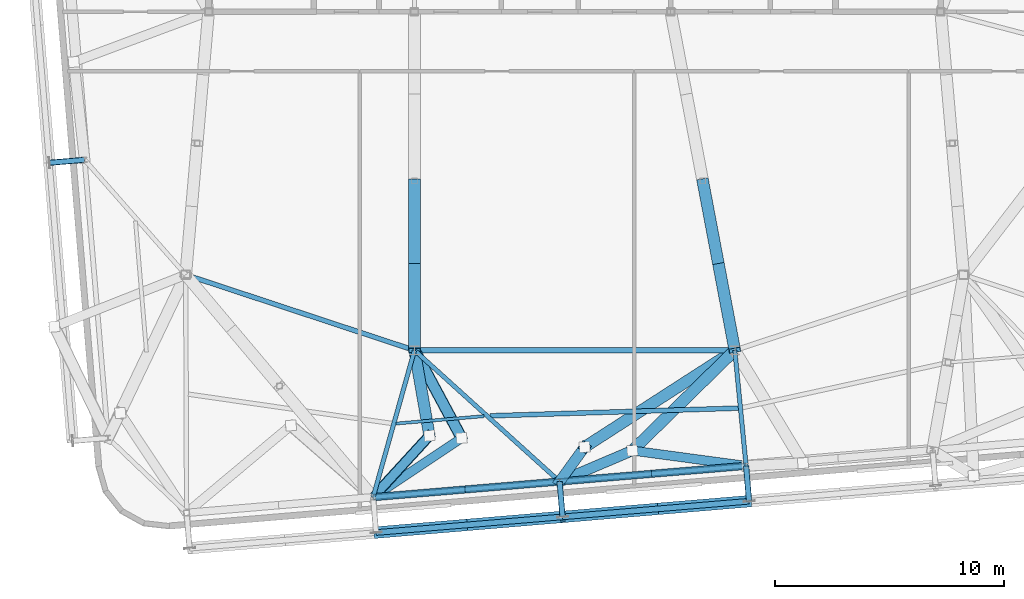
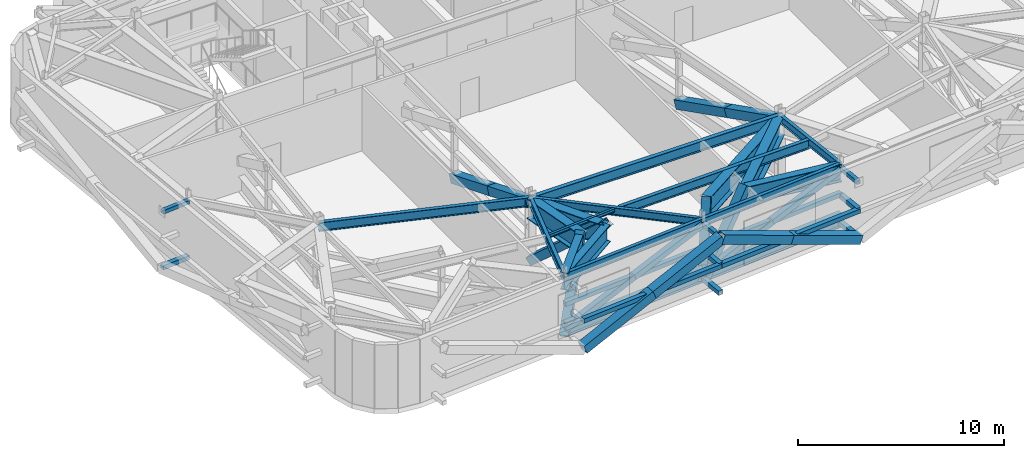
# One storey, part 8 of 26: 30 members, 16 beams.
"""IFC4 building model written with IfcOpenShell, lengths in metres."""

import ifcopenshell
import ifcopenshell.guid

model = None  # the IFC model being written
_history = None  # IfcOwnerHistory: only IFC2X3 demands one
_inside = {}  # id of a spatial element -> (the spatial element, [elements in it])
_under = {}  # id of a project, library or spatial element -> (it, [spatial elements below it])
_declared = {}  # id of a project -> (the project, [libraries it declares])
_typed = {}  # id of a type object -> (the type object, [elements of that type])
_made_of = {}  # id of a material, layer set ... -> (it, [elements and type objects made of it])


def new_model(schema):
    """Start an empty IFC model of exactly this schema.

    Asked for "IFC4X3", IfcOpenShell would pick the latest addendum, in which some entities
    have other attributes; the version numbers below select the first issue.
    IFC2X3 requires an IfcOwnerHistory on every rooted entity: one is made here for all.
    """
    global model, _history
    if schema == "IFC4X3":
        model = ifcopenshell.file(schema_version=(4, 3, 0, 0))
    else:
        model = ifcopenshell.file(schema=schema)
    _inside.clear()
    _under.clear()
    _declared.clear()
    _typed.clear()
    _made_of.clear()
    _history = None
    if model.schema == "IFC2X3":
        org = make("IfcOrganization", Name="unknown")
        user = make(
            "IfcPersonAndOrganization",
            ThePerson=make("IfcPerson", FamilyName="unknown"),
            TheOrganization=org,
        )
        app = make(
            "IfcApplication",
            ApplicationDeveloper=org,
            Version="unknown",
            ApplicationFullName="unknown",
            ApplicationIdentifier="unknown",
        )
        _history = make(
            "IfcOwnerHistory",
            OwningUser=user,
            OwningApplication=app,
            ChangeAction="ADDED",
            CreationDate=0,
        )
    return model


def make(cls, **values):
    """One entity of the class cls with the attributes given. An attribute that is None is left unset."""
    return model.create_entity(
        cls, **{name: value for name, value in values.items() if value is not None}
    )


def rooted(cls, **values):
    """An entity with a GlobalId (a new one), such as an element, a storey or a relation."""
    return make(cls, GlobalId=ifcopenshell.guid.new(), OwnerHistory=_history, **values)


def si_unit(unit_type, name, prefix=None):
    """IfcSIUnit, for example si_unit("LENGTHUNIT", "METRE", prefix="MILLI")."""
    return make("IfcSIUnit", UnitType=unit_type, Prefix=prefix, Name=name)


def assignment(units):
    """IfcUnitAssignment: the units of a project."""
    return None if units is None else make("IfcUnitAssignment", Units=units)


def point(xyz):
    """IfcCartesianPoint."""
    return None if xyz is None else make("IfcCartesianPoint", Coordinates=xyz)


def direction(xyz):
    """IfcDirection."""
    return None if xyz is None else make("IfcDirection", DirectionRatios=xyz)


def frame(location, z_axis=None, x_axis=None):
    """IfcAxis2Placement3D, a coordinate frame: its origin and axes. An axis left out is left unset."""
    return make(
        "IfcAxis2Placement3D",
        Location=point(location),
        Axis=direction(z_axis),
        RefDirection=direction(x_axis),
    )


def frame_2d(location, x_axis=None):
    """IfcAxis2Placement2D, a coordinate frame in the plane: its origin and x axis."""
    return make(
        "IfcAxis2Placement2D", Location=point(location), RefDirection=direction(x_axis)
    )


def origin():
    """The frame at (0, 0, 0) with its axes left unset."""
    return frame((0.0, 0.0, 0.0))


def origin_2d():
    """The frame at (0, 0) in the plane with its x axis left unset."""
    return frame_2d((0.0, 0.0))


def place(relative_to, where):
    """IfcLocalPlacement: puts the frame where relative to a parent placement (None: the world)."""
    return make(
        "IfcLocalPlacement", PlacementRelTo=relative_to, RelativePlacement=where
    )


def context(
    kind, dimensions, precision=None, world=None, true_north=None, identifier=None
):
    """IfcGeometricRepresentationContext, for example the 3D "Model" context."""
    return make(
        "IfcGeometricRepresentationContext",
        ContextIdentifier=identifier,
        ContextType=kind,
        CoordinateSpaceDimension=dimensions,
        Precision=precision,
        WorldCoordinateSystem=world,
        TrueNorth=true_north,
    )


def subcontext(parent, identifier, kind, view, scale=None):
    """IfcGeometricRepresentationSubContext, for example "Body" below "Model"."""
    return make(
        "IfcGeometricRepresentationSubContext",
        ContextIdentifier=identifier,
        ContextType=kind,
        ParentContext=parent,
        TargetScale=scale,
        TargetView=view,
    )


def project(units=None, contexts=None):
    """IfcProject with its units and contexts."""
    return rooted(
        "IfcProject",
        Name="project",
        RepresentationContexts=contexts,
        UnitsInContext=assignment(units),
    )


def spatial(cls, under=None, at=None, **own):
    """A site, building, storey or space (cls), placed at a placement, below another one or the project."""
    s = rooted(cls, ObjectPlacement=at, **own)
    if under is not None:
        _under.setdefault(under.id(), (under, []))[1].append(s)
    return s


def profile(cls, at=None, kind="AREA", **sizes):
    """A parametric profile (cls). Its sizes go by their IFC names, for example OverallWidth=200.0."""
    return make(cls, ProfileType=kind, Position=at, **sizes)


def hollow_rectangle(**sizes):
    """IfcRectangleHollowProfileDef."""
    return profile("IfcRectangleHollowProfileDef", **sizes)


def i_section(**sizes):
    """IfcIShapeProfileDef."""
    return profile("IfcIShapeProfileDef", **sizes)


def extrude(swept, where, along, depth):
    """IfcExtrudedAreaSolid: the profile swept, set in the frame where, extruded along a direction by depth."""
    return make(
        "IfcExtrudedAreaSolid",
        SweptArea=swept,
        Position=where,
        ExtrudedDirection=direction(along),
        Depth=depth,
    )


def shape(context_of_items, identifier, shape_type, items):
    """IfcShapeRepresentation: the items that make up one representation, for example the "Body"."""
    return make(
        "IfcShapeRepresentation",
        ContextOfItems=context_of_items,
        RepresentationIdentifier=identifier,
        RepresentationType=shape_type,
        Items=items,
    )


def source(mapping_origin, context_of_items, identifier, shape_type, items):
    """IfcRepresentationMap: a shape defined once, which mapped items show again and again."""
    return make(
        "IfcRepresentationMap",
        MappingOrigin=mapping_origin,
        MappedRepresentation=shape(context_of_items, identifier, shape_type, items),
    )


def transform(
    local_origin,
    x_axis=None,
    y_axis=None,
    z_axis=None,
    scale=None,
    scale2=None,
    scale3=None,
    uniform=True,
):
    """IfcCartesianTransformationOperator3D, or its non-uniform kind. x_axis, y_axis, z_axis: its Axis1, 2, 3."""
    if uniform:
        return make(
            "IfcCartesianTransformationOperator3D",
            Axis1=direction(x_axis),
            Axis2=direction(y_axis),
            LocalOrigin=point(local_origin),
            Scale=scale,
            Axis3=direction(z_axis),
        )
    return make(
        "IfcCartesianTransformationOperator3DnonUniform",
        Axis1=direction(x_axis),
        Axis2=direction(y_axis),
        LocalOrigin=point(local_origin),
        Scale=scale,
        Axis3=direction(z_axis),
        Scale2=scale2,
        Scale3=scale3,
    )


def mapped(mapping_source, mapping_target):
    """IfcMappedItem: shows the shape of a source again, moved by a transform."""
    return make(
        "IfcMappedItem", MappingSource=mapping_source, MappingTarget=mapping_target
    )


def material(Name=None, Category=None):
    """IfcMaterial."""
    return make("IfcMaterial", Name=Name, Category=Category)


def material_profile(
    of_material, cross_section, Name=None, Category=None, Priority=None
):
    """IfcMaterialProfile: a cross section and its material."""
    return make(
        "IfcMaterialProfile",
        Name=Name,
        Material=of_material,
        Profile=cross_section,
        Priority=Priority,
        Category=Category,
    )


def profile_set(profiles, Name=None, composite=None):
    """IfcMaterialProfileSet."""
    return make(
        "IfcMaterialProfileSet",
        Name=Name,
        MaterialProfiles=profiles,
        CompositeProfile=composite,
    )


def made_of(thing, what):
    """Note that an element or type object is made of a material, layer set ...; save() writes the relation."""
    if what is not None:
        _made_of.setdefault(what.id(), (what, []))[1].append(thing)
    return thing


def type_object(cls, material=None, **own):
    """A type object (cls), such as IfcWallType, which elements share."""
    return made_of(rooted(cls, **own), material)


def element(
    cls,
    number,
    at=None,
    inside=None,
    cuts=None,
    type_object=None,
    material=None,
    context=None,
    identifier="Body",
    shape_type=None,
    held_by="IfcProductDefinitionShape",
    body=None,
    shapes=None,
    **own,
):
    """One element of the class cls, such as IfcWall. Its Tag is "e" and its number.

    at: its placement. inside: the storey or other place that contains it. cuts: it is an
    opening in that element (IfcRelVoidsElement). A single representation is given by context,
    identifier, shape_type and body (its items); several are given by shapes. held_by: the class
    of the entity that holds the representations. save() writes the other relations.
    """
    e = rooted(cls, Tag="e%d" % number, ObjectPlacement=at, **own)
    if body is not None:
        shapes = [shape(context, identifier, shape_type, body)]
    if shapes is not None:
        e.Representation = make(held_by, Representations=shapes)
    if inside is not None:
        _inside.setdefault(inside.id(), (inside, []))[1].append(e)
    if cuts is not None:
        rooted(
            "IfcRelVoidsElement", RelatingBuildingElement=cuts, RelatedOpeningElement=e
        )
    if type_object is not None:
        _typed.setdefault(type_object.id(), (type_object, []))[1].append(e)
    return made_of(e, material)


def aggregate(whole, parts):
    """IfcRelAggregates: a whole, such as a stair, and the parts it consists of."""
    return rooted("IfcRelAggregates", RelatingObject=whole, RelatedObjects=parts)


def save(model, path):
    """Write the relations noted so far, then the file.

    IfcRelAggregates (storeys below a building ...), IfcRelContainedInSpatialStructure (elements
    in a storey), IfcRelDefinesByType, IfcRelAssociatesMaterial and IfcRelDeclares: one each for
    every whole, place, type object, material and project.
    """
    for whole, parts in _under.values():
        aggregate(whole, parts)
    for where, things in _inside.values():
        rooted(
            "IfcRelContainedInSpatialStructure",
            RelatedElements=things,
            RelatingStructure=where,
        )
    for kind, things in _typed.values():
        rooted("IfcRelDefinesByType", RelatedObjects=things, RelatingType=kind)
    for what, things in _made_of.values():
        rooted("IfcRelAssociatesMaterial", RelatedObjects=things, RelatingMaterial=what)
    for by, libraries in _declared.values():
        rooted("IfcRelDeclares", RelatingContext=by, RelatedDefinitions=libraries)
    model.write(path)


model = new_model("IFC4")

# Units and contexts
model_context = context("Model", 3, precision=1e-05, world=origin(), true_north=direction((0.0, 1.0)))
body_context = subcontext(model_context, "Body", "Model", "MODEL_VIEW")
ifc_project = project(units=[si_unit("LENGTHUNIT", "METRE"), si_unit("AREAUNIT", "SQUARE_METRE"), si_unit("VOLUMEUNIT", "CUBIC_METRE"), si_unit("PLANEANGLEUNIT", "RADIAN"), si_unit("MASSUNIT", "GRAM", prefix="KILO")], contexts=[model_context])

# Site, building, storey
site_placement = place(None, origin())
site = spatial("IfcSite", under=ifc_project, at=site_placement, CompositionType="ELEMENT")
building_placement = place(site_placement, origin())
building = spatial("IfcBuilding", under=site, at=building_placement, Name="Taldren Reach Tower", CompositionType="ELEMENT")
storey_placement = place(building_placement, frame((0.0, 0.0, 207.199951171875)))
storey = spatial("IfcBuildingStorey", under=building, at=storey_placement, Name="L63", CompositionType="ELEMENT", Elevation=207.199951171875)

# Beams
ifc_material_1 = material(Name="Steel Gr 350 (350PLUS)", Category="steel")
ifc_material_profile_1 = material_profile(ifc_material_1, i_section(OverallWidth=0.208984375, OverallDepth=0.532958984375, WebThickness=0.01025390625, FlangeThickness=0.015625, at=origin_2d()), Name="530UB92.4")
ifc_profile_set_1 = profile_set([ifc_material_profile_1], Name="Steel Gr 350 (350PLUS)")
beam_type_1 = type_object("IfcBeamType", Name="BM-UB530A", PredefinedType="BEAM", material=ifc_profile_set_1)
shared_shape_1 = source(origin(), body_context, "Body", "SweptSolid", [
    extrude(i_section(OverallWidth=0.208984375, OverallDepth=0.532958984375, WebThickness=0.01025390625, FlangeThickness=0.015625, at=origin_2d()), origin(), (0.0, 0.0, 1.0), 10.530517578125),
])
beam_1_placement = place(storey_placement, frame((18.0, 12.5, 3.513427734375), z_axis=(0.949627269203, -0.313381635689, 0.0), x_axis=(0.313381635689, 0.949627269203, 0.0)))
element("IfcBeam", 1, at=beam_1_placement, inside=storey, type_object=beam_type_1, Name="Core-spine girder L63-SP10", PredefinedType="BEAM", context=body_context, shape_type="MappedRepresentation", body=[
    mapped(shared_shape_1, transform((0.0, 0.0, 0.0), scale=1.0)),
])
ifc_material_profile_2 = material_profile(ifc_material_1, i_section(OverallWidth=0.22802734375, OverallDepth=0.60205078125, WebThickness=0.010498046875, FlangeThickness=0.014892578125, at=origin_2d()), Name="610UB101")
ifc_profile_set_2 = profile_set([ifc_material_profile_2], Name="Steel Gr 350 (350PLUS)")
beam_type_2 = type_object("IfcBeamType", Name="BM-UB610B", PredefinedType="BEAM", material=ifc_profile_set_2)
shared_shape_2 = source(origin(), body_context, "Body", "SweptSolid", [
    extrude(i_section(OverallWidth=0.22802734375, OverallDepth=0.60205078125, WebThickness=0.010498046875, FlangeThickness=0.014892578125, at=origin_2d()), origin(), (0.0, 0.0, 1.0), 14.0),
])
beam_2_placement = place(storey_placement, frame((28.0, 9.199951171875, 3.47900390625), z_axis=(1.0, 0.0, 0.0), x_axis=(0.0, 1.0, 0.0)))
element("IfcBeam", 2, at=beam_2_placement, inside=storey, type_object=beam_type_2, Name="Core-spine girder L63-SP11", PredefinedType="BEAM", context=body_context, shape_type="MappedRepresentation", body=[
    mapped(shared_shape_2, transform((0.0, 0.0, 0.0), scale=1.0)),
])

# Members
ifc_material_2 = material(Name="Steel Gr 350 (C350L0)", Category="steel")
ifc_material_profile_3 = material_profile(ifc_material_2, hollow_rectangle(XDim=0.25, YDim=0.25, WallThickness=0.010009765625, at=origin_2d()), Name="250x250x10.0SHS")
ifc_profile_set_3 = profile_set([ifc_material_profile_3], Name="Steel Gr 350 (C350L0)")
member_type_1 = type_object("IfcMemberType", Name="MB-POST250", PredefinedType="POST", material=ifc_profile_set_3)
shared_shape_3 = source(origin(), body_context, "Body", "SweptSolid", [
    extrude(hollow_rectangle(XDim=0.25, YDim=0.25, WallThickness=0.010009765625, at=origin_2d()), origin(), (0.0, 0.0, 1.0), 1.5498046875),
])
for number, where, z_axis, x_axis, name in (
    (3, (34.34228515625, 3.462890625, 0.219970703125), (0.083645141657, -0.996495604746, 0.0), (0.996495604746, 0.083645141657, 0.0), "Exoskeleton base diaphragm tie strut B4-S3 L63"),
    (4, (42.49365234375, 4.1474609375, 0.219970703125), (0.083645141657, -0.996495604746, 0.0), (0.996495604746, 0.083645141657, 0.0), "Exoskeleton base diaphragm tie strut B4-S4 L63"),
    (5, (34.34228515625, 3.462890625, 1.860107421875), (0.083645141657, -0.996495604746, 0.0), (0.996495604746, 0.083645141657, 0.0), "Exoskeleton mid-tier diaphragm tie B4-S3 L63"),
    (6, (42.49365234375, 4.1474609375, 1.860107421875), (0.083645141657, -0.996495604746, 0.0), (0.996495604746, 0.083645141657, 0.0), "Exoskeleton mid-tier diaphragm tie B4-S4 L63"),
):
    element("IfcMember", number, at=place(storey_placement, frame(where, z_axis=z_axis, x_axis=x_axis)), inside=storey, type_object=member_type_1, Name=name, PredefinedType="POST", context=body_context, shape_type="MappedRepresentation", body=[
        mapped(shared_shape_3, transform((0.0, 0.0, 0.0), scale=1.0)),
    ])
ifc_material_3 = material(Name="Steel Gr 450 (C450L0)", Category="steel")
ifc_material_profile_4 = material_profile(ifc_material_3, hollow_rectangle(XDim=0.510009765625, YDim=0.510009765625, WallThickness=0.02001953125, at=origin_2d()), Name="510x510x20.0SHS")
ifc_profile_set_4 = profile_set([ifc_material_profile_4], Name="Steel Gr 450 (C450L0)")
member_type_2 = type_object("IfcMemberType", Name="MB-EXO508", PredefinedType="BRACE", material=ifc_profile_set_4)
shared_shape_4 = source(origin(), body_context, "Body", "SweptSolid", [
    extrude(hollow_rectangle(XDim=0.510009765625, YDim=0.510009765625, WallThickness=0.02001953125, at=origin_2d()), origin(), (0.0, 0.0, 1.0), 3.994384765625),
])
member_1_placement = place(storey_placement, frame((28.0, 12.89990234375, 1.955078125), z_axis=(0.0, -0.926311309754, 0.376759017705), x_axis=(1.0, 0.0, 0.0)))
element("IfcMember", 7, at=member_1_placement, inside=storey, type_object=member_type_2, Name="Outrigger Transfer Truss Diagonal OT-M1B L63", PredefinedType="BRACE", context=body_context, shape_type="MappedRepresentation", body=[
    mapped(shared_shape_4, transform((0.0, 0.0, 0.0), scale=1.0)),
])
shared_shape_5 = source(origin(), body_context, "Body", "SweptSolid", [
    extrude(hollow_rectangle(XDim=0.510009765625, YDim=0.510009765625, WallThickness=0.02001953125, at=origin_2d()), origin(), (0.0, 0.0, 1.0), 3.99462890625),
])
member_2_placement = place(storey_placement, frame((28.0, 16.60009765625, 0.449951171875), z_axis=(0.0, -0.926298654902, 0.376790129815), x_axis=(1.0, 0.0, 0.0)))
element("IfcMember", 8, at=member_2_placement, inside=storey, type_object=member_type_2, Name="Outrigger Transfer Truss Diagonal OT-M1B L63", PredefinedType="BRACE", context=body_context, shape_type="MappedRepresentation", body=[
    mapped(shared_shape_5, transform((0.0, 0.0, 0.0), scale=1.0)),
])
shared_shape_6 = source(origin(), body_context, "Body", "SweptSolid", [
    extrude(hollow_rectangle(XDim=0.510009765625, YDim=0.510009765625, WallThickness=0.02001953125, at=origin_2d()), origin(), (0.0, 0.0, 1.0), 4.05517578125),
])
member_3_placement = place(storey_placement, frame((41.300048828125, 12.89990234375, 1.955078125), z_axis=(0.172607955073, -0.91240793831, 0.371104093153), x_axis=(0.982572166, 0.185881517646, 0.0)))
element("IfcMember", 9, at=member_3_placement, inside=storey, type_object=member_type_2, Name="Outrigger Transfer Truss Diagonal OT-M2B L63", PredefinedType="BRACE", context=body_context, shape_type="MappedRepresentation", body=[
    mapped(shared_shape_6, transform((0.0, 0.0, 0.0), scale=1.0)),
])
shared_shape_7 = source(origin(), body_context, "Body", "SweptSolid", [
    extrude(hollow_rectangle(XDim=0.510009765625, YDim=0.510009765625, WallThickness=0.02001953125, at=origin_2d()), origin(), (0.0, 0.0, 1.0), 4.055419921875),
])
member_4_placement = place(storey_placement, frame((40.60009765625, 16.60009765625, 0.449951171875), z_axis=(0.172594617897, -0.912397638243, 0.371135618881), x_axis=(0.982574405956, 0.185869676819, 0.0)))
element("IfcMember", 10, at=member_4_placement, inside=storey, type_object=member_type_2, Name="Outrigger Transfer Truss Diagonal OT-M2B L63", PredefinedType="BRACE", context=body_context, shape_type="MappedRepresentation", body=[
    mapped(shared_shape_7, transform((0.0, 0.0, 0.0), scale=1.0)),
])

# Beams
ifc_material_profile_5 = material_profile(ifc_material_1, i_section(OverallWidth=0.18994140625, OverallDepth=0.4541015625, WebThickness=0.008544921875, FlangeThickness=0.0126953125, at=origin_2d()), Name="460UB67.1")
ifc_profile_set_5 = profile_set([ifc_material_profile_5], Name="Steel Gr 350 (350PLUS)")
beam_type_3 = type_object("IfcBeamType", Name="SP-UB460B", PredefinedType="SPANDREL", material=ifc_profile_set_5)
shared_shape_8 = source(origin(), body_context, "Body", "SweptSolid", [
    extrude(i_section(OverallWidth=0.18994140625, OverallDepth=0.4541015625, WebThickness=0.008544921875, FlangeThickness=0.0126953125, at=origin_2d()), origin(), (0.0, 0.0, 1.0), 8.18017578125),
])
beam_3_placement = place(storey_placement, frame((34.34228515625, 3.462890625, 3.552978515625), z_axis=(0.996492034688, 0.083687662192, 0.0), x_axis=(-0.083687662192, 0.996492034688, 0.0)))
element("IfcBeam", 11, at=beam_3_placement, inside=storey, type_object=beam_type_3, Name="Perimeter spandrel B4 S3-S4 L63", PredefinedType="SPANDREL", context=body_context, shape_type="MappedRepresentation", body=[
    mapped(shared_shape_8, transform((0.0, 0.0, 0.0), scale=1.0)),
])
shared_shape_9 = source(origin(), body_context, "Body", "SweptSolid", [
    extrude(i_section(OverallWidth=0.18994140625, OverallDepth=0.4541015625, WebThickness=0.008544921875, FlangeThickness=0.0126953125, at=origin_2d()), origin(), (0.0, 0.0, 1.0), 8.179931640625),
])
beam_4_placement = place(storey_placement, frame((26.19091796875, 2.778564453125, 3.552978515625), z_axis=(0.996494523218, 0.083658025296, 0.0), x_axis=(-0.083658025296, 0.996494523218, 0.0)))
element("IfcBeam", 12, at=beam_4_placement, inside=storey, type_object=beam_type_3, Name="Perimeter spandrel B4 S2-S3 L63", PredefinedType="SPANDREL", context=body_context, shape_type="MappedRepresentation", body=[
    mapped(shared_shape_9, transform((0.0, 0.0, 0.0), scale=1.0)),
])
ifc_material_profile_6 = material_profile(ifc_material_1, i_section(OverallWidth=0.19091796875, OverallDepth=0.4599609375, WebThickness=0.010009765625, FlangeThickness=0.01611328125, at=origin_2d()), Name="460UB82.1")
ifc_profile_set_6 = profile_set([ifc_material_profile_6], Name="Steel Gr 350 (350PLUS)")
beam_type_4 = type_object("IfcBeamType", Name="BM-UB460A", PredefinedType="BEAM", material=ifc_profile_set_6)
shared_shape_10 = source(origin(), body_context, "Body", "SweptSolid", [
    extrude(i_section(OverallWidth=0.19091796875, OverallDepth=0.4599609375, WebThickness=0.010009765625, FlangeThickness=0.01611328125, at=origin_2d()), origin(), (0.0, 0.0, 1.0), 6.67138671875),
])
beam_5_placement = place(storey_placement, frame((28.0, 9.199951171875, 3.550048828125), z_axis=(-0.271171579948, -0.962531025073, 0.0), x_axis=(0.962531025073, -0.271171579948, 0.0)))
element("IfcBeam", 13, at=beam_5_placement, inside=storey, type_object=beam_type_4, Name="Primary floor girder B4-S2 L63", PredefinedType="BEAM", context=body_context, shape_type="MappedRepresentation", body=[
    mapped(shared_shape_10, transform((0.0, 0.0, 0.0), scale=1.0)),
])
shared_shape_11 = source(origin(), body_context, "Body", "SweptSolid", [
    extrude(i_section(OverallWidth=0.19091796875, OverallDepth=0.4599609375, WebThickness=0.010009765625, FlangeThickness=0.01611328125, at=origin_2d()), origin(), (0.0, 0.0, 1.0), 8.552001953125),
])
beam_6_placement = place(storey_placement, frame((28.0, 9.199951171875, 3.550048828125), z_axis=(0.741605435155, -0.670836327689, 0.0), x_axis=(0.670836327689, 0.741605435155, 0.0)))
element("IfcBeam", 14, at=beam_6_placement, inside=storey, type_object=beam_type_4, Name="Primary floor girder B4-S3 L63", PredefinedType="BEAM", context=body_context, shape_type="MappedRepresentation", body=[
    mapped(shared_shape_11, transform((0.0, 0.0, 0.0), scale=1.0)),
])
shared_shape_12 = source(origin(), body_context, "Body", "SweptSolid", [
    extrude(i_section(OverallWidth=0.19091796875, OverallDepth=0.4599609375, WebThickness=0.010009765625, FlangeThickness=0.01611328125, at=origin_2d()), origin(), (0.0, 0.0, 1.0), 5.07666015625),
])
beam_7_placement = place(storey_placement, frame((42.0, 9.199951171875, 3.550048828125), z_axis=(0.097241716644, -0.995260794236, 0.0), x_axis=(0.995260794236, 0.097241716644, 0.0)))
element("IfcBeam", 15, at=beam_7_placement, inside=storey, type_object=beam_type_4, Name="Primary floor girder B4-S4 L63", PredefinedType="BEAM", context=body_context, shape_type="MappedRepresentation", body=[
    mapped(shared_shape_12, transform((0.0, 0.0, 0.0), scale=1.0)),
])
ifc_material_4 = material(Name="Steel Gr 300 (300PLUS, 300 MPa)", Category="steel")
ifc_material_profile_7 = material_profile(ifc_material_4, i_section(OverallWidth=0.134033203125, OverallDepth=0.20703125, WebThickness=0.00634765625, FlangeThickness=0.009521484375, at=origin_2d()), Name="200UB29.8")
ifc_profile_set_7 = profile_set([ifc_material_profile_7], Name="Steel Gr 300 (300PLUS, 300 MPa)")
beam_type_5 = type_object("IfcBeamType", Name="JS-UB200", PredefinedType="JOIST", material=ifc_profile_set_7)
shared_shape_13 = source(origin(), body_context, "Body", "SweptSolid", [
    extrude(i_section(OverallWidth=0.134033203125, OverallDepth=0.20703125, WebThickness=0.00634765625, FlangeThickness=0.009521484375, at=origin_2d()), origin(), (0.0, 0.0, 1.0), 3.857177734375),
])
beam_8_placement = place(storey_placement, frame((27.197021484375, 5.997802734375, 3.676513671875), z_axis=(0.996493179166, 0.083674033464, 0.0), x_axis=(-0.083674033464, 0.996493179166, 0.0)))
element("IfcBeam", 16, at=beam_8_placement, inside=storey, type_object=beam_type_5, Name="Secondary floor joist B4 J2 L63", PredefinedType="JOIST", context=body_context, shape_type="MappedRepresentation", body=[
    mapped(shared_shape_13, transform((0.0, 0.0, 0.0), scale=1.0)),
])
shared_shape_14 = source(origin(), body_context, "Body", "SweptSolid", [
    extrude(i_section(OverallWidth=0.208984375, OverallDepth=0.532958984375, WebThickness=0.01025390625, FlangeThickness=0.015625, at=origin_2d()), origin(), (0.0, 0.0, 1.0), 10.847412109375),
])
beam_9_placement = place(storey_placement, frame((31.308837890625, 6.335693359375, 3.513427734375), z_axis=(0.999522428572, 0.030901695439, 0.0), x_axis=(-0.030901695439, 0.999522428572, 0.0)))
element("IfcBeam", 17, at=beam_9_placement, inside=storey, type_object=beam_type_1, Name="Secondary floor beam B4 J3 L63", PredefinedType="BEAM", context=body_context, shape_type="MappedRepresentation", body=[
    mapped(shared_shape_14, transform((0.0, 0.0, 0.0), scale=1.0)),
])

# Members
ifc_material_profile_8 = material_profile(ifc_material_3, hollow_rectangle(XDim=0.219970703125, YDim=0.219970703125, WallThickness=0.00830078125, at=origin_2d()), Name="220x220x8.2SHS")
ifc_profile_set_8 = profile_set([ifc_material_profile_8], Name="Steel Gr 450 (C450L0)")
member_type_3 = type_object("IfcMemberType", Name="MB-TIE219", PredefinedType="STRUT", material=ifc_profile_set_8)
shared_shape_15 = source(origin(), body_context, "Body", "SweptSolid", [
    extrude(hollow_rectangle(XDim=0.219970703125, YDim=0.219970703125, WallThickness=0.00830078125, at=origin_2d()), origin(), (0.0, 0.0, 1.0), 1.5498046875),
])
for number, where, z_axis, x_axis, name in (
    (18, (34.34228515625, 3.462890625, 3.5), (0.083645141657, -0.996495604746, 0.0), (0.996495604746, 0.083645141657, 0.0), "Exoskeleton diaphragm tie strut B4-S3 L63"),
    (19, (42.49365234375, 4.1474609375, 3.5), (0.083645141657, -0.996495604746, 0.0), (0.996495604746, 0.083645141657, 0.0), "Exoskeleton diaphragm tie strut B4-S4 L63"),
):
    element("IfcMember", number, at=place(storey_placement, frame(where, z_axis=z_axis, x_axis=x_axis)), inside=storey, type_object=member_type_3, Name=name, PredefinedType="STRUT", context=body_context, shape_type="MappedRepresentation", body=[
        mapped(shared_shape_15, transform((0.0, 0.0, 0.0), scale=1.0)),
    ])
shared_shape_16 = source(origin(), body_context, "Body", "SweptSolid", [
    extrude(hollow_rectangle(XDim=0.219970703125, YDim=0.219970703125, WallThickness=0.00830078125, at=origin_2d()), origin(), (0.0, 0.0, 1.0), 1.54541015625),
])
member_5_placement = place(storey_placement, frame((13.578125, 17.52490234375, 3.5), z_axis=(-0.99648887425, -0.083725285883, 0.0), x_axis=(0.083725285883, -0.99648887425, 0.0)))
element("IfcMember", 20, at=member_5_placement, inside=storey, type_object=member_type_3, Name="Exoskeleton diaphragm tie strut B4-W2 L63", PredefinedType="STRUT", context=body_context, shape_type="MappedRepresentation", body=[
    mapped(shared_shape_16, transform((0.0, 0.0, 0.0), scale=1.0)),
])
shared_shape_17 = source(origin(), body_context, "Body", "SweptSolid", [
    extrude(hollow_rectangle(XDim=0.25, YDim=0.25, WallThickness=0.010009765625, at=origin_2d()), origin(), (0.0, 0.0, 1.0), 8.18017578125),
])
for number, where, z_axis, x_axis, name in (
    (21, (34.34228515625, 3.462890625, 1.955078125), (0.996492034688, 0.083687662192, 0.0), (-0.083687662192, 0.996492034688, 0.0), "Belt Truss Transfer Mid Chord S3 L63"),
    (22, (26.320556640625, 1.23388671875, 1.860107421875), (0.996492034688, 0.083687662192, 0.0), (-0.083687662192, 0.996492034688, 0.0), "Exoskeleton mid-height ring chord B4-S2 L63"),
    (23, (34.471923828125, 1.91845703125, 1.860107421875), (0.996492034688, 0.083687662192, 0.0), (-0.083687662192, 0.996492034688, 0.0), "Exoskeleton mid-height ring chord B4-S3 L63"),
):
    element("IfcMember", number, at=place(storey_placement, frame(where, z_axis=z_axis, x_axis=x_axis)), inside=storey, type_object=member_type_1, Name=name, PredefinedType="POST", context=body_context, shape_type="MappedRepresentation", body=[
        mapped(shared_shape_17, transform((0.0, 0.0, 0.0), scale=1.0)),
    ])
shared_shape_18 = source(origin(), body_context, "Body", "SweptSolid", [
    extrude(hollow_rectangle(XDim=0.25, YDim=0.25, WallThickness=0.010009765625, at=origin_2d()), origin(), (0.0, 0.0, 1.0), 8.179931640625),
])
member_6_placement = place(storey_placement, frame((26.19091796875, 2.778564453125, 1.955078125), z_axis=(0.996494523218, 0.083658025296, 0.0), x_axis=(-0.083658025296, 0.996494523218, 0.0)))
element("IfcMember", 24, at=member_6_placement, inside=storey, type_object=member_type_1, Name="Belt Truss Transfer Mid Chord S2 L63", PredefinedType="POST", context=body_context, shape_type="MappedRepresentation", body=[
    mapped(shared_shape_18, transform((0.0, 0.0, 0.0), scale=1.0)),
])
shared_shape_19 = source(origin(), body_context, "Body", "SweptSolid", [
    extrude(hollow_rectangle(XDim=0.25, YDim=0.25, WallThickness=0.010009765625, at=origin_2d()), origin(), (0.0, 0.0, 1.0), 1.54541015625),
])
member_7_placement = place(storey_placement, frame((13.578125, 17.52490234375, 0.219970703125), z_axis=(-0.99648887425, -0.083725285883, 0.0), x_axis=(0.083725285883, -0.99648887425, 0.0)))
element("IfcMember", 25, at=member_7_placement, inside=storey, type_object=member_type_1, Name="Exoskeleton base diaphragm tie strut B4-W2 L63", PredefinedType="POST", context=body_context, shape_type="MappedRepresentation", body=[
    mapped(shared_shape_19, transform((0.0, 0.0, 0.0), scale=1.0)),
])
ifc_material_profile_9 = material_profile(ifc_material_3, hollow_rectangle(XDim=0.4599609375, YDim=0.4599609375, WallThickness=0.01611328125, at=origin_2d()), Name="460x460x16.0SHS")
ifc_profile_set_9 = profile_set([ifc_material_profile_9], Name="Steel Gr 450 (C450L0)")
member_type_4 = type_object("IfcMemberType", Name="MB-EXO457", PredefinedType="BRACE", material=ifc_profile_set_9)
shared_shape_20 = source(origin(), body_context, "Body", "SweptSolid", [
    extrude(hollow_rectangle(XDim=0.4599609375, YDim=0.4599609375, WallThickness=0.01611328125, at=origin_2d()), origin(), (0.0, 0.0, 1.0), 5.752685546875),
])
member_8_placement = place(storey_placement, frame((28.0, 9.199951171875, 0.02001953125), z_axis=(0.358184320747, -0.666715127835, 0.653601507562), x_axis=(0.88092083752, 0.473263645364, 0.0)))
element("IfcMember", 26, at=member_8_placement, inside=storey, type_object=member_type_4, Name="Outrigger Belt Truss Transfer Strut TS-B5-S3 L63", PredefinedType="BRACE", context=body_context, shape_type="MappedRepresentation", body=[
    mapped(shared_shape_20, transform((0.0, 0.0, 0.0), scale=1.0)),
])

# Beams
ifc_material_profile_10 = material_profile(ifc_material_1, i_section(OverallWidth=0.5, OverallDepth=1.199951171875, WebThickness=0.01611328125, FlangeThickness=0.0400390625, at=origin_2d()), Name="1200WB455")
ifc_profile_set_10 = profile_set([ifc_material_profile_10], Name="Steel Gr 350 (350PLUS)")
beam_type_6 = type_object("IfcBeamType", Name="BM-WB1200", PredefinedType="BEAM", material=ifc_profile_set_10)
shared_shape_21 = source(origin(), body_context, "Body", "SweptSolid", [
    extrude(i_section(OverallWidth=0.5, OverallDepth=1.199951171875, WebThickness=0.01611328125, FlangeThickness=0.0400390625, at=origin_2d()), origin(), (0.0, 0.0, 1.0), 4.35400390625),
])
beam_10_placement = place(storey_placement, frame((28.0, 9.199951171875, 3.179931640625), z_axis=(0.473263645364, -0.88092083752, 0.0), x_axis=(0.88092083752, 0.473263645364, 0.0)))
element("IfcBeam", 27, at=beam_10_placement, inside=storey, type_object=beam_type_6, Name="Belt Truss Transfer Girder TG-B5-S3A on L63", PredefinedType="BEAM", context=body_context, shape_type="MappedRepresentation", body=[
    mapped(shared_shape_21, transform((0.0, 0.0, 0.0), scale=1.0)),
])
ifc_material_profile_11 = material_profile(ifc_material_1, i_section(OverallWidth=0.39990234375, OverallDepth=1.02392578125, WebThickness=0.01611328125, FlangeThickness=0.031982421875, at=origin_2d()), Name="1000WB322")
ifc_profile_set_11 = profile_set([ifc_material_profile_11], Name="Steel Gr 350 (350PLUS)")
beam_type_7 = type_object("IfcBeamType", Name="BM-WB1000", PredefinedType="BEAM", material=ifc_profile_set_11)
shared_shape_22 = source(origin(), body_context, "Body", "SweptSolid", [
    extrude(i_section(OverallWidth=0.39990234375, OverallDepth=1.02392578125, WebThickness=0.01611328125, FlangeThickness=0.031982421875, at=origin_2d()), origin(), (0.0, 0.0, 1.0), 4.654052734375),
])
beam_11_placement = place(storey_placement, frame((26.19091796875, 2.778564453125, 3.26806640625), z_axis=(0.831436447488, 0.555619864466, 0.0), x_axis=(-0.555619864466, 0.831436447488, 0.0)))
element("IfcBeam", 28, at=beam_11_placement, inside=storey, type_object=beam_type_7, Name="Belt Truss Transfer Tie Girder TG-B5-S3B on L63", PredefinedType="BEAM", context=body_context, shape_type="MappedRepresentation", body=[
    mapped(shared_shape_22, transform((0.0, 0.0, 0.0), scale=1.0)),
])

# Member
shared_shape_23 = source(origin(), body_context, "Body", "SweptSolid", [
    extrude(hollow_rectangle(XDim=0.4599609375, YDim=0.4599609375, WallThickness=0.01611328125, at=origin_2d()), origin(), (0.0, 0.0, 1.0), 5.106201171875),
])
member_9_placement = place(storey_placement, frame((34.34228515625, 3.462890625, 0.02001953125), z_axis=(0.62243831552, 0.265174596549, 0.736378283709), x_axis=(-0.391939606602, 0.919990948204, 0.0)))
element("IfcMember", 29, at=member_9_placement, inside=storey, type_object=member_type_4, Name="Outrigger Belt Truss Transfer Strut TS-B5-S4 L63", PredefinedType="BRACE", context=body_context, shape_type="MappedRepresentation", body=[
    mapped(shared_shape_23, transform((0.0, 0.0, 0.0), scale=1.0)),
])

# Beams
shared_shape_24 = source(origin(), body_context, "Body", "SweptSolid", [
    extrude(i_section(OverallWidth=0.5, OverallDepth=1.199951171875, WebThickness=0.01611328125, FlangeThickness=0.0400390625, at=origin_2d()), origin(), (0.0, 0.0, 1.0), 6.26708984375),
])
beam_12_placement = place(storey_placement, frame((42.0, 9.199951171875, 3.179931640625), z_axis=(-0.71475866888, -0.699371178461, 0.0), x_axis=(0.699371178461, -0.71475866888, 0.0)))
element("IfcBeam", 30, at=beam_12_placement, inside=storey, type_object=beam_type_6, Name="Belt Truss Transfer Girder TG-B5-S4A on L63", PredefinedType="BEAM", context=body_context, shape_type="MappedRepresentation", body=[
    mapped(shared_shape_24, transform((0.0, 0.0, 0.0), scale=1.0)),
])
shared_shape_25 = source(origin(), body_context, "Body", "SweptSolid", [
    extrude(i_section(OverallWidth=0.39990234375, OverallDepth=1.02392578125, WebThickness=0.01611328125, FlangeThickness=0.031982421875, at=origin_2d()), origin(), (0.0, 0.0, 1.0), 5.01806640625),
])
beam_13_placement = place(storey_placement, frame((42.49365234375, 4.1474609375, 3.26806640625), z_axis=(-0.991061403862, 0.133406498252, 0.0), x_axis=(-0.133406498252, -0.991061403862, 0.0)))
element("IfcBeam", 31, at=beam_13_placement, inside=storey, type_object=beam_type_7, Name="Belt Truss Transfer Tie Girder TG-B5-PJ2B on L63", PredefinedType="BEAM", context=body_context, shape_type="MappedRepresentation", body=[
    mapped(shared_shape_25, transform((0.0, 0.0, 0.0), scale=1.0)),
])

# Member
shared_shape_26 = source(origin(), body_context, "Body", "SweptSolid", [
    extrude(hollow_rectangle(XDim=0.4599609375, YDim=0.4599609375, WallThickness=0.01611328125, at=origin_2d()), origin(), (0.0, 0.0, 1.0), 5.238037109375),
])
member_10_placement = place(storey_placement, frame((26.19091796875, 2.778564453125, 0.02001953125), z_axis=(0.470280465049, 0.513393391725, 0.717818577028), x_axis=(-0.737390294491, 0.675466915244, 0.0)))
element("IfcMember", 32, at=member_10_placement, inside=storey, type_object=member_type_4, Name="Outrigger Belt Truss Transfer Strut TS-B5-PJ1 L63", PredefinedType="BRACE", context=body_context, shape_type="MappedRepresentation", body=[
    mapped(shared_shape_26, transform((0.0, 0.0, 0.0), scale=1.0)),
])

# Beams
shared_shape_27 = source(origin(), body_context, "Body", "SweptSolid", [
    extrude(i_section(OverallWidth=0.5, OverallDepth=1.199951171875, WebThickness=0.01611328125, FlangeThickness=0.0400390625, at=origin_2d()), origin(), (0.0, 0.0, 1.0), 3.7890625),
])
beam_14_placement = place(storey_placement, frame((28.0, 9.199951171875, 3.179931640625), z_axis=(0.172678846321, -0.984978180486, 0.0), x_axis=(0.984978180486, 0.172678846321, 0.0)))
element("IfcBeam", 33, at=beam_14_placement, inside=storey, type_object=beam_type_6, Name="Belt Truss Transfer Girder TG-B5-PJ1A on L63", PredefinedType="BEAM", context=body_context, shape_type="MappedRepresentation", body=[
    mapped(shared_shape_27, transform((0.0, 0.0, 0.0), scale=1.0)),
])
shared_shape_28 = source(origin(), body_context, "Body", "SweptSolid", [
    extrude(i_section(OverallWidth=0.39990234375, OverallDepth=1.02392578125, WebThickness=0.01611328125, FlangeThickness=0.031982421875, at=origin_2d()), origin(), (0.0, 0.0, 1.0), 3.64697265625),
])
beam_15_placement = place(storey_placement, frame((26.19091796875, 2.778564453125, 3.26806640625), z_axis=(0.675466915244, 0.737390294491, 0.0), x_axis=(-0.737390294491, 0.675466915244, 0.0)))
element("IfcBeam", 34, at=beam_15_placement, inside=storey, type_object=beam_type_7, Name="Belt Truss Transfer Edge Tie Girder TG-B5-PJ1R on L63", PredefinedType="BEAM", context=body_context, shape_type="MappedRepresentation", body=[
    mapped(shared_shape_28, transform((0.0, 0.0, 0.0), scale=1.0)),
])

# Member
shared_shape_29 = source(origin(), body_context, "Body", "SweptSolid", [
    extrude(hollow_rectangle(XDim=0.4599609375, YDim=0.4599609375, WallThickness=0.01611328125, at=origin_2d()), origin(), (0.0, 0.0, 1.0), 4.19580078125),
])
member_11_placement = place(storey_placement, frame((34.34228515625, 3.462890625, 0.02001953125), z_axis=(0.260678977244, 0.35913184097, 0.896142171547), x_axis=(-0.809280068156, 0.587422991792, 0.0)))
element("IfcMember", 35, at=member_11_placement, inside=storey, type_object=member_type_4, Name="Outrigger Belt Truss Transfer Strut TS-B5-PJ2 L63", PredefinedType="BRACE", context=body_context, shape_type="MappedRepresentation", body=[
    mapped(shared_shape_29, transform((0.0, 0.0, 0.0), scale=1.0)),
])

# Beam
shared_shape_30 = source(origin(), body_context, "Body", "SweptSolid", [
    extrude(i_section(OverallWidth=0.5, OverallDepth=1.199951171875, WebThickness=0.01611328125, FlangeThickness=0.0400390625, at=origin_2d()), origin(), (0.0, 0.0, 1.0), 7.80908203125),
])
beam_16_placement = place(storey_placement, frame((42.0, 9.199951171875, 3.179931640625), z_axis=(-0.840564391699, -0.541711642304, 0.0), x_axis=(0.541711642304, -0.840564391699, 0.0)))
element("IfcBeam", 36, at=beam_16_placement, inside=storey, type_object=beam_type_6, Name="Belt Truss Transfer Girder TG-B5-PJ2A on L63", PredefinedType="BEAM", context=body_context, shape_type="MappedRepresentation", body=[
    mapped(shared_shape_30, transform((0.0, 0.0, 0.0), scale=1.0)),
])

# Members
ifc_material_profile_12 = material_profile(ifc_material_1, i_section(OverallWidth=0.300048828125, OverallDepth=0.81591796875, WebThickness=0.011962890625, FlangeThickness=0.02392578125, at=origin_2d()), Name="800WB192")
ifc_profile_set_12 = profile_set([ifc_material_profile_12], Name="Steel Gr 350 (350PLUS)")
member_type_5 = type_object("IfcMemberType", Name="MB-CH800", PredefinedType="CHORD", material=ifc_profile_set_12)
shared_shape_31 = source(origin(), body_context, "Body", "SweptSolid", [
    extrude(i_section(OverallWidth=0.300048828125, OverallDepth=0.81591796875, WebThickness=0.011962890625, FlangeThickness=0.02392578125, at=origin_2d()), origin(), (0.0, 0.0, 1.0), 8.18017578125),
])
member_12_placement = place(storey_placement, frame((34.34228515625, 3.462890625, 0.449951171875), z_axis=(0.996492034688, 0.083687662192, 0.0), x_axis=(-0.083687662192, 0.996492034688, 0.0)))
element("IfcMember", 37, at=member_12_placement, inside=storey, type_object=member_type_5, Name="Belt Truss Transfer Bottom Chord S3 L63", PredefinedType="CHORD", context=body_context, shape_type="MappedRepresentation", body=[
    mapped(shared_shape_31, transform((0.0, 0.0, 0.0), scale=1.0)),
])
ifc_material_profile_13 = material_profile(ifc_material_3, hollow_rectangle(XDim=0.324951171875, YDim=0.324951171875, WallThickness=0.0126953125, at=origin_2d()), Name="325x325x12.7SHS")
ifc_profile_set_13 = profile_set([ifc_material_profile_13], Name="Steel Gr 450 (C450L0)")
member_type_6 = type_object("IfcMemberType", Name="MB-BR324", PredefinedType="BRACE", material=ifc_profile_set_13)
shared_shape_32 = source(origin(), body_context, "Body", "SweptSolid", [
    extrude(hollow_rectangle(XDim=0.324951171875, YDim=0.324951171875, WallThickness=0.0126953125, at=origin_2d()), origin(), (0.0, 0.0, 1.0), 4.358154296875),
])
for number, where, z_axis, x_axis, name in (
    (38, (26.19091796875, 2.778564453125, 0.449951171875), (0.935179447034, 0.078538491958, 0.34535649281), (-0.083687662192, 0.996492034688, 0.0), "Belt Truss Transfer Diagonal S2 L63"),
    (39, (30.2666015625, 3.120849609375, 1.955078125), (0.935201651782, 0.078484336537, 0.345308672672), (-0.083628388178, 0.996497010879, 0.0), "Belt Truss Transfer Diagonal S2 L63"),
    (40, (34.34228515625, 3.462890625, 0.449951171875), (0.935179447034, 0.078538491958, 0.34535649281), (-0.083687662192, 0.996492034688, 0.0), "Belt Truss Transfer Diagonal S3 L63"),
    (41, (38.41796875, 3.80517578125, 1.955078125), (0.935197538531, 0.078540011323, 0.345307153918), (-0.083687662192, 0.996492034688, 0.0), "Belt Truss Transfer Diagonal S3 L63"),
):
    element("IfcMember", number, at=place(storey_placement, frame(where, z_axis=z_axis, x_axis=x_axis)), inside=storey, type_object=member_type_6, Name=name, PredefinedType="BRACE", context=body_context, shape_type="MappedRepresentation", body=[
        mapped(shared_shape_32, transform((0.0, 0.0, 0.0), scale=1.0)),
    ])
shared_shape_33 = source(origin(), body_context, "Body", "SweptSolid", [
    extrude(i_section(OverallWidth=0.300048828125, OverallDepth=0.81591796875, WebThickness=0.011962890625, FlangeThickness=0.02392578125, at=origin_2d()), origin(), (0.0, 0.0, 1.0), 8.179931640625),
])
member_13_placement = place(storey_placement, frame((26.19091796875, 2.778564453125, 0.449951171875), z_axis=(0.996494523218, 0.083658025296, 0.0), x_axis=(-0.083658025296, 0.996494523218, 0.0)))
element("IfcMember", 42, at=member_13_placement, inside=storey, type_object=member_type_5, Name="Belt Truss Transfer Bottom Chord S2 L63", PredefinedType="CHORD", context=body_context, shape_type="MappedRepresentation", body=[
    mapped(shared_shape_33, transform((0.0, 0.0, 0.0), scale=1.0)),
])
shared_shape_34 = source(origin(), body_context, "Body", "SweptSolid", [
    extrude(hollow_rectangle(XDim=0.510009765625, YDim=0.510009765625, WallThickness=0.02001953125, at=origin_2d()), origin(), (0.0, 0.0, 1.0), 4.406494140625),
])
for number, where, z_axis, x_axis, name in (
    (43, (30.396240234375, 1.576171875, 1.860107421875), (0.924916753786, 0.077676607692, 0.372149624726), (-0.083687662192, 0.996492034688, 0.0), "Exoskeleton Diagrid Brace B4-S2 L63"),
    (44, (38.547607421875, 2.2607421875, 1.860107421875), (-0.924916753786, -0.077676607692, 0.372149624726), (0.083687662192, -0.996492034688, 0.0), "Exoskeleton Diagrid Brace B4-S3 L63"),
):
    element("IfcMember", number, at=place(storey_placement, frame(where, z_axis=z_axis, x_axis=x_axis)), inside=storey, type_object=member_type_2, Name=name, PredefinedType="BRACE", context=body_context, shape_type="MappedRepresentation", body=[
        mapped(shared_shape_34, transform((0.0, 0.0, 0.0), scale=1.0)),
    ])
shared_shape_35 = source(origin(), body_context, "Body", "SweptSolid", [
    extrude(hollow_rectangle(XDim=0.510009765625, YDim=0.510009765625, WallThickness=0.02001953125, at=origin_2d()), origin(), (0.0, 0.0, 1.0), 4.40673828125),
])
for number, where, z_axis, x_axis, name in (
    (45, (26.320556640625, 1.23388671875, 0.219970703125), (0.924897682439, 0.077675006037, 0.372197354177), (-0.083687662192, 0.996492034688, 0.0), "Exoskeleton Diagrid Brace B4-S2 L63"),
    (46, (42.623291015625, 2.60302734375, 0.219970703125), (-0.924897682439, -0.077675006037, 0.372197354177), (0.083687662192, -0.996492034688, 0.0), "Exoskeleton Diagrid Brace B4-S3 L63"),
):
    element("IfcMember", number, at=place(storey_placement, frame(where, z_axis=z_axis, x_axis=x_axis)), inside=storey, type_object=member_type_2, Name=name, PredefinedType="BRACE", context=body_context, shape_type="MappedRepresentation", body=[
        mapped(shared_shape_35, transform((0.0, 0.0, 0.0), scale=1.0)),
    ])

save(model, "model.ifc")
